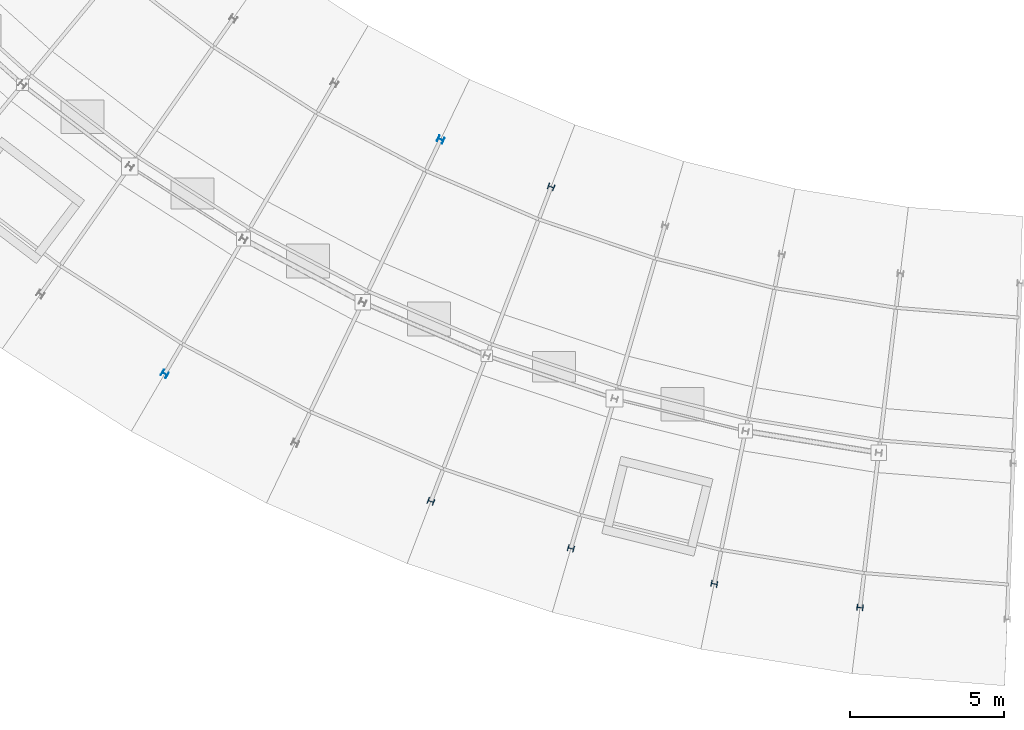
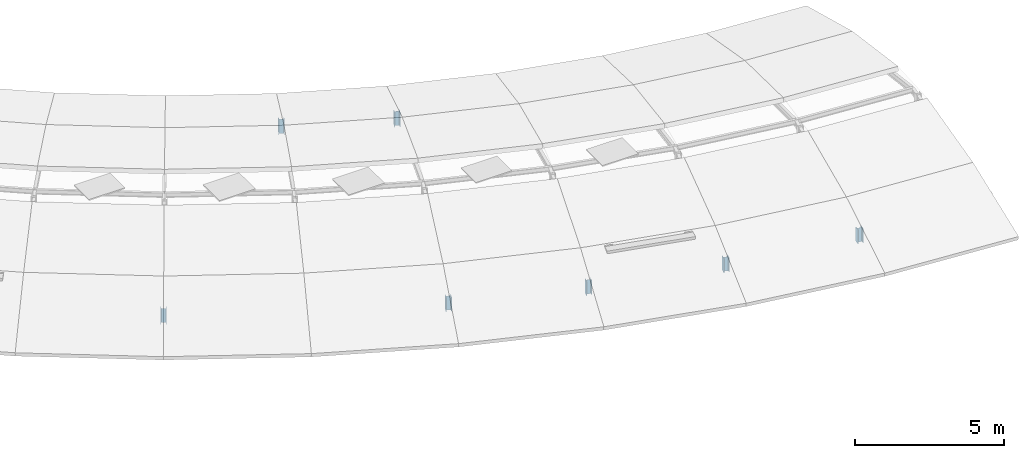
# One storey, part 6 of 40: 7 columns.
"""IFC4 building model written with IfcOpenShell, lengths in metres."""

from ifc_helpers import new_model, si_unit, direction, frame, origin, origin_2d, place, context, subcontext, project, spatial, i_section, extrude, material, material_profile, profile_set, type_object, element, save


model = new_model("IFC4")

# Units and contexts
model_context = context("Model", 3, precision=1e-05, world=origin(), true_north=direction((0.0, 1.0)))
body_context = subcontext(model_context, "Body", "Model", "MODEL_VIEW")
ifc_project = project(units=[si_unit("LENGTHUNIT", "METRE"), si_unit("AREAUNIT", "SQUARE_METRE"), si_unit("VOLUMEUNIT", "CUBIC_METRE"), si_unit("PLANEANGLEUNIT", "RADIAN"), si_unit("MASSUNIT", "GRAM", prefix="KILO")], contexts=[model_context])

# Site, building, storey
site_placement = place(None, origin())
site = spatial("IfcSite", under=ifc_project, at=site_placement, CompositionType="ELEMENT")
building_placement = place(site_placement, origin())
building = spatial("IfcBuilding", under=site, at=building_placement, Name="Zimvara Arc Housing Community", CompositionType="ELEMENT")
storey_placement = place(building_placement, frame((0.0, 0.0, 32.89990234375)))
storey = spatial("IfcBuildingStorey", under=building, at=storey_placement, Name="L10", CompositionType="ELEMENT", Elevation=32.89990234375)

# Columns
ifc_material = material(Name="Steel S355", Category="steel")
ifc_material_profile = material_profile(ifc_material, i_section(OverallWidth=0.199951171875, OverallDepth=0.199951171875, WebThickness=0.009033203125, FlangeThickness=0.014892578125, FilletRadius=0.01806640625, at=origin_2d()), Name="HEB 200")
ifc_profile_set = profile_set([ifc_material_profile], Name="Steel S355")
column_type = type_object("IfcColumnType", Name="COL-ST-HEB200", PredefinedType="COLUMN", material=ifc_profile_set)
for number, where, z_axis, x_axis, name in (
    (1, (96.291259765625, 59.012939453125, 0.0), (0.0, 0.0, 1.0), (-0.504226211181, -0.863571611366, 0.0), "col:blkC:L10:ribpost3:g4"),
    (2, (105.2744140625, 66.644287109375, 0.0), (0.0, 0.0, 1.0), (-0.432085748802, -0.901832526405, 0.0), "col:blkC:L10:ribpost1:g5"),
    (3, (108.869384765625, 65.098876953125, 0.0), (0.0, 0.0, 1.0), (-0.357064076459, -0.934079892355, 0.0), "col:blkC:L10:ribpost1:g6"),
    (4, (104.9560546875, 54.861328125, 0.0), (0.0, 0.0, 1.0), (-0.357064076459, -0.934079892355, 0.0), "col:blkC:L10:ribpost3:g6"),
    (5, (109.513427734375, 53.329345703125, 0.0), (0.0, 0.0, 1.0), (-0.27966144946, -0.96009867914, 0.0), "col:blkC:L10:ribpost3:g7"),
    (6, (114.180908203125, 52.17431640625, 0.0), (0.0, 0.0, 1.0), (-0.200393999665, -0.979715389742, 0.0), "col:blkC:L10:ribpost3:g8"),
    (7, (118.9267578125, 51.404052734375, 0.0), (0.0, 0.0, 1.0), (-0.119790293837, -0.992799217114, 0.0), "col:blkC:L10:ribpost3:g9"),
):
    element("IfcColumn", number, at=place(storey_placement, frame(where, z_axis=z_axis, x_axis=x_axis)), inside=storey, type_object=column_type, Name=name, PredefinedType="COLUMN", context=body_context, shape_type="SweptSolid", body=[
        extrude(i_section(OverallWidth=0.199951171875, OverallDepth=0.199951171875, WebThickness=0.009033203125, FlangeThickness=0.014892578125, FilletRadius=0.01806640625, at=origin_2d()), origin(), (0.0, 0.0, 1.0), 0.582763671875),
    ])

save(model, "model.ifc")
